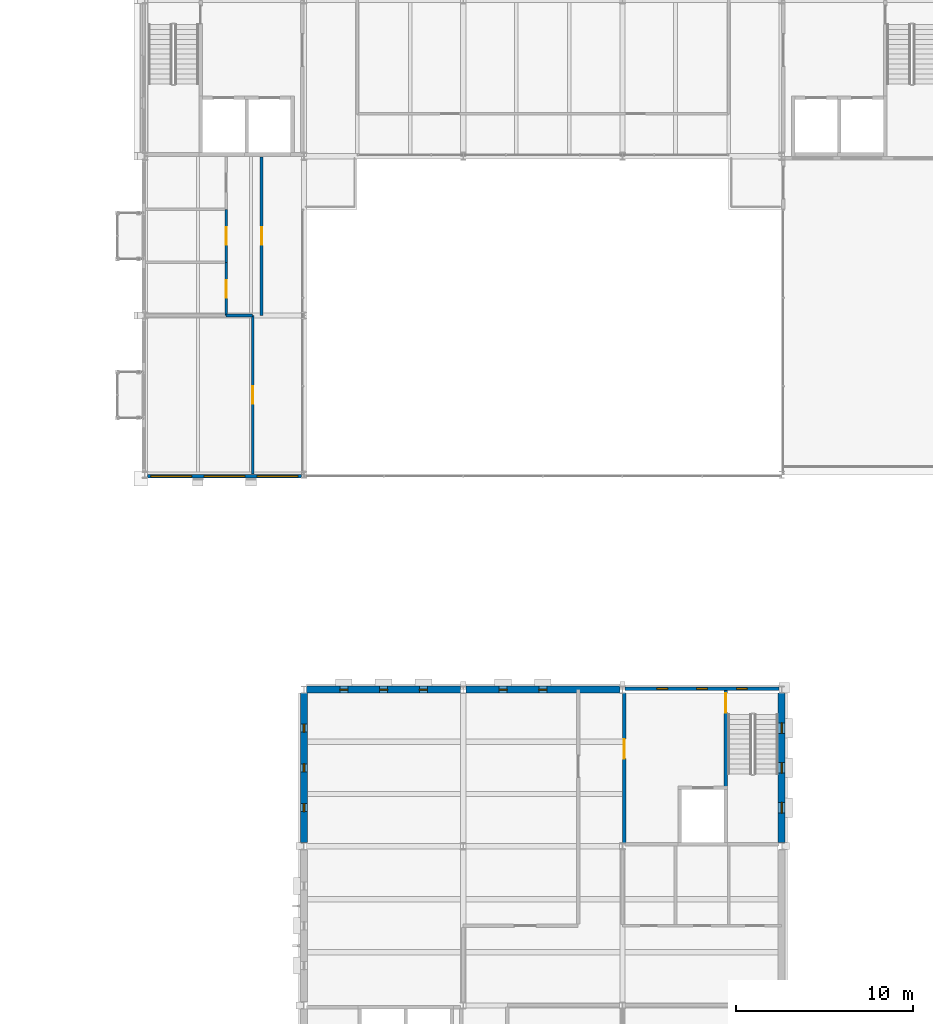
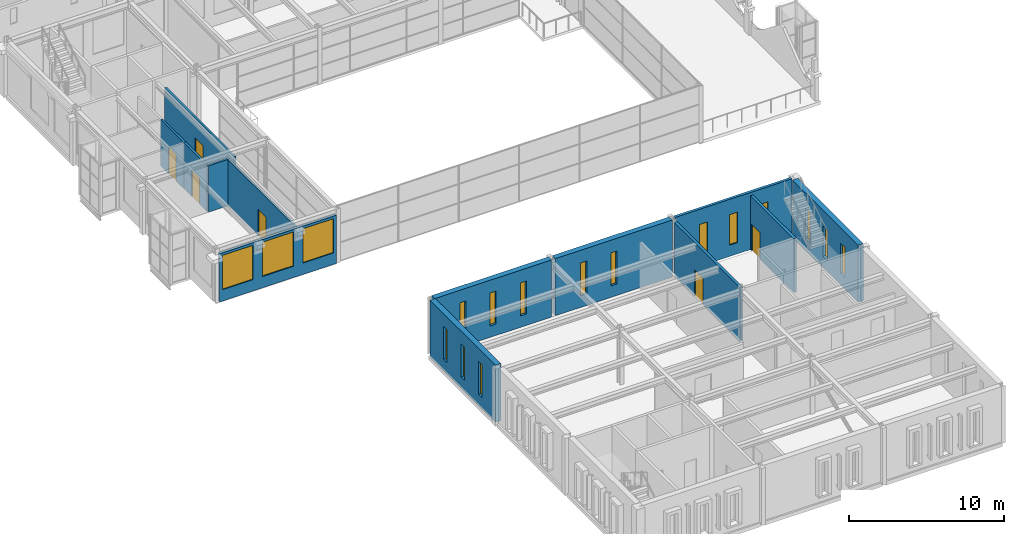
# One storey, part 67 of 111: 17 windows, 13 walls, 6 doors, 23 openings.
"""IFC4 building model written with IfcOpenShell, lengths in metres."""

from ifc_helpers import new_model, si_unit, direction, frame, frame_2d, origin, place, context, subcontext, project, spatial, rectangle, extrude, material, layer, layer_set, type_object, element, fill, save


model = new_model("IFC4")

# Units and contexts
model_context = context("Model", 3, precision=1e-05, world=origin(), true_north=direction((0.0, 1.0)))
body_context = subcontext(model_context, "Body", "Model", "MODEL_VIEW")
ifc_project = project(units=[si_unit("LENGTHUNIT", "METRE"), si_unit("AREAUNIT", "SQUARE_METRE"), si_unit("VOLUMEUNIT", "CUBIC_METRE"), si_unit("PLANEANGLEUNIT", "RADIAN"), si_unit("MASSUNIT", "GRAM", prefix="KILO")], contexts=[model_context])

# Site, building, storey
site_placement = place(None, origin())
site = spatial("IfcSite", under=ifc_project, at=site_placement, CompositionType="ELEMENT")
building_placement = place(site_placement, origin())
building = spatial("IfcBuilding", under=site, at=building_placement, Name="Kallimachos Central Library", CompositionType="ELEMENT")
storey_placement = place(building_placement, frame((0.0, 0.0, 14.39990234375)))
storey = spatial("IfcBuildingStorey", under=building, at=storey_placement, Name="L03", CompositionType="ELEMENT", Elevation=14.39990234375)

# Wall, opening, door
ifc_material_1 = material(Name="Concrete C30/37", Category="concrete")
ifc_layer_1 = layer(ifc_material_1, 0.199951171875)
ifc_layer_set_1 = layer_set([ifc_layer_1], Name="Core wall 200")
wall_type_1 = type_object("IfcWallType", Name="Core wall 200", PredefinedType="SOLIDWALL", material=ifc_layer_set_1)
wall_1_placement = place(storey_placement, frame((92.60009765625, 36.1884765625, 0.0), z_axis=(0.0, 0.0, 1.0), x_axis=(0.0, 1.0, 0.0)))
wall_1 = element("IfcWall", 1, at=wall_1_placement, inside=storey, type_object=wall_type_1, Name="V5-WAL-L03-029", PredefinedType="SOLIDWALL", context=body_context, shape_type="SweptSolid", body=[
    extrude(rectangle(XDim=8.46142578125, YDim=0.199951171875, at=frame_2d((4.230712890625, 0.0))), origin(), (0.0, 0.0, 1.0), 4.25),
])
opening_1_placement = place(wall_1_placement, frame((4.761474609375, 0.0, 0.0)))
opening_1 = element("IfcOpeningElement", 2, at=opening_1_placement, cuts=wall_1, Name="Opening D124", PredefinedType="OPENING", context=body_context, shape_type="SweptSolid", body=[
    extrude(rectangle(XDim=1.10009765625, YDim=2.10009765625, at=frame_2d((0.550048828125, 1.050048828125))), frame((0.0, 0.10986328125, 0.0), z_axis=(0.0, -1.0, 0.0), x_axis=(1.0, 0.0, 0.0)), (0.0, 0.0, 1.0), 0.219970703125),
])
ifc_material_2 = material(Name="Steel fire door", Category="steel")
door_type_1 = type_object("IfcDoorType", Name="Fire door EI2 90 1100 x 2100", OperationType="NOTDEFINED", PredefinedType="DOOR", material=ifc_material_2)
door_1_placement = place(opening_1_placement, frame((1.10009765625, 0.0, 0.0), z_axis=(0.0, 0.0, 1.0), x_axis=(-1.0, 0.0, 0.0)))
door_1 = element("IfcDoor", 3, at=door_1_placement, inside=storey, type_object=door_type_1, Name="ST14 lobby door L03", OperationType="SINGLE_SWING_LEFT", OverallHeight=2.10009765625, OverallWidth=1.10009765625, PredefinedType="DOOR", context=body_context, shape_type="SweptSolid", body=[
    extrude(rectangle(XDim=1.10009765625, YDim=2.10009765625, at=frame_2d((0.550048828125, 1.050048828125))), frame((0.0, 0.02490234375, 0.0), z_axis=(0.0, -1.0, 0.0), x_axis=(1.0, 0.0, 0.0)), (0.0, 0.0, 1.0), 0.050048828125),
])
fill(opening_1, door_1)

wall_2_placement = place(storey_placement, frame((98.35009765625, 39.199951171875, 0.0), z_axis=(0.0, 0.0, 1.0), x_axis=(0.0, 1.0, 0.0)))
wall_2 = element("IfcWall", 4, at=wall_2_placement, inside=storey, type_object=wall_type_1, Name="V5-WAL-L03-030", PredefinedType="SOLIDWALL", context=body_context, shape_type="SweptSolid", body=[
    extrude(rectangle(XDim=5.60009765625, YDim=0.199951171875, at=frame_2d((2.800048828125, 0.0))), origin(), (0.0, 0.0, 1.0), 4.25),
])
opening_2_placement = place(wall_2_placement, frame((4.35009765625, 0.0, 0.0)))
opening_2 = element("IfcOpeningElement", 5, at=opening_2_placement, cuts=wall_2, Name="Opening D123", PredefinedType="OPENING", context=body_context, shape_type="SweptSolid", body=[
    extrude(rectangle(XDim=1.10009765625, YDim=2.10009765625, at=frame_2d((0.550048828125, 1.050048828125))), frame((0.0, 0.10986328125, 0.0), z_axis=(0.0, -1.0, 0.0), x_axis=(1.0, 0.0, 0.0)), (0.0, 0.0, 1.0), 0.219970703125),
])
door_2_placement = place(opening_2_placement, frame((1.10009765625, 0.0, 0.0), z_axis=(0.0, 0.0, 1.0), x_axis=(-1.0, 0.0, 0.0)))
door_2 = element("IfcDoor", 6, at=door_2_placement, inside=storey, type_object=door_type_1, Name="ST14 stair door L03", OperationType="SINGLE_SWING_RIGHT", OverallHeight=2.10009765625, OverallWidth=1.10009765625, PredefinedType="DOOR", context=body_context, shape_type="SweptSolid", body=[
    extrude(rectangle(XDim=1.10009765625, YDim=2.10009765625, at=frame_2d((0.550048828125, 1.050048828125))), frame((0.0, 0.02490234375, 0.0), z_axis=(0.0, -1.0, 0.0), x_axis=(1.0, 0.0, 0.0)), (0.0, 0.0, 1.0), 0.050048828125),
])
fill(opening_2, door_2)

ifc_material_3 = material(Name="Gypsum board on steel studs", Category="steel")
ifc_layer_2 = layer(ifc_material_3, 0.14990234375)
ifc_layer_set_2 = layer_set([ifc_layer_2], Name="Partition wall 150")
wall_type_2 = type_object("IfcWallType", Name="Partition wall 150", PredefinedType="PARTITIONING", material=ifc_layer_set_2)
wall_3_placement = place(storey_placement, frame((71.60009765625, 57.050048828125, 0.0), z_axis=(0.0, 0.0, 1.0), x_axis=(0.0, 1.0, 0.0)))
wall_3 = element("IfcWall", 7, at=wall_3_placement, inside=storey, type_object=wall_type_2, Name="L03 partition", PredefinedType="PARTITIONING", context=body_context, shape_type="SweptSolid", body=[
    extrude(rectangle(XDim=8.949951171875, YDim=0.14990234375, at=frame_2d((4.47509765625, 0.0))), origin(), (0.0, 0.0, 1.0), 3.650146484375),
])
opening_3_placement = place(wall_3_placement, frame((3.949951171875, 0.0, 0.0)))
opening_3 = element("IfcOpeningElement", 8, at=opening_3_placement, cuts=wall_3, Name="Opening D209", PredefinedType="OPENING", context=body_context, shape_type="SweptSolid", body=[
    extrude(rectangle(XDim=1.0, YDim=2.10009765625, at=frame_2d((0.5, 1.050048828125))), frame((0.0, 0.0849609375, 0.0), z_axis=(0.0, -1.0, 0.0), x_axis=(1.0, 0.0, 0.0)), (0.0, 0.0, 1.0), 0.169921875),
])
ifc_material_4 = material(Name="Timber", Category="wood")
door_type_2 = type_object("IfcDoorType", Name="Single leaf door 1000 x 2100, EI2 30", OperationType="NOTDEFINED", PredefinedType="DOOR", material=ifc_material_4)
door_3_placement = place(opening_3_placement, origin())
door_3 = element("IfcDoor", 9, at=door_3_placement, inside=storey, type_object=door_type_2, Name="L03 door Quiet Reading Room 2", OperationType="SINGLE_SWING_RIGHT", OverallHeight=2.10009765625, OverallWidth=1.0, PredefinedType="DOOR", context=body_context, shape_type="SweptSolid", body=[
    extrude(rectangle(XDim=1.0, YDim=2.10009765625, at=frame_2d((0.5, 1.050048828125))), frame((0.0, 0.02490234375, 0.0), z_axis=(0.0, -1.0, 0.0), x_axis=(1.0, 0.0, 0.0)), (0.0, 0.0, 1.0), 0.050048828125),
])
fill(opening_3, door_3)

# Wall
wall_4_placement = place(storey_placement, frame((70.10009765625, 66.0, 0.0), z_axis=(0.0, 0.0, 1.0), x_axis=(1.0, 0.0, 0.0)))
element("IfcWall", 10, at=wall_4_placement, inside=storey, type_object=wall_type_2, Name="L03 partition", PredefinedType="PARTITIONING", context=body_context, shape_type="SweptSolid", body=[
    extrude(rectangle(XDim=1.5, YDim=0.14990234375, at=frame_2d((0.75, 0.0))), origin(), (0.0, 0.0, 1.0), 3.650146484375),
])

# Wall, opening, door
wall_5_placement = place(storey_placement, frame((72.10009765625, 66.0, 0.0), z_axis=(0.0, 0.0, 1.0), x_axis=(0.0, 1.0, 0.0)))
wall_5 = element("IfcWall", 11, at=wall_5_placement, inside=storey, type_object=wall_type_2, Name="L03 partition", PredefinedType="PARTITIONING", context=body_context, shape_type="SweptSolid", body=[
    extrude(rectangle(XDim=8.949951171875, YDim=0.14990234375, at=frame_2d((4.47509765625, 0.0))), origin(), (0.0, 0.0, 1.0), 3.650146484375),
])
opening_4_placement = place(wall_5_placement, frame((4.0, 0.0, 0.0)))
opening_4 = element("IfcOpeningElement", 12, at=opening_4_placement, cuts=wall_5, Name="Opening D210", PredefinedType="OPENING", context=body_context, shape_type="SweptSolid", body=[
    extrude(rectangle(XDim=1.0, YDim=2.10009765625, at=frame_2d((0.5, 1.050048828125))), frame((0.0, 0.0849609375, 0.0), z_axis=(0.0, -1.0, 0.0), x_axis=(1.0, 0.0, 0.0)), (0.0, 0.0, 1.0), 0.169921875),
])
door_4_placement = place(opening_4_placement, origin())
door_4 = element("IfcDoor", 13, at=door_4_placement, inside=storey, type_object=door_type_2, Name="L03 door WC Lobby", OperationType="SINGLE_SWING_RIGHT", OverallHeight=2.10009765625, OverallWidth=1.0, PredefinedType="DOOR", context=body_context, shape_type="SweptSolid", body=[
    extrude(rectangle(XDim=1.0, YDim=2.10009765625, at=frame_2d((0.5, 1.050048828125))), frame((0.0, 0.02490234375, 0.0), z_axis=(0.0, -1.0, 0.0), x_axis=(1.0, 0.0, 0.0)), (0.0, 0.0, 1.0), 0.050048828125),
])
fill(opening_4, door_4)

wall_6_placement = place(storey_placement, frame((70.10009765625, 69.0, 0.0), z_axis=(0.0, 0.0, 1.0), x_axis=(0.0, 1.0, 0.0)))
wall_6 = element("IfcWall", 14, at=wall_6_placement, inside=storey, type_object=wall_type_2, Name="L03 partition", PredefinedType="PARTITIONING", context=body_context, shape_type="SweptSolid", body=[
    extrude(rectangle(XDim=3.0, YDim=0.14990234375, at=frame_2d((1.5, 0.0))), origin(), (0.0, 0.0, 1.0), 3.650146484375),
])
opening_5_placement = place(wall_6_placement, frame((1.0, 0.0, 0.0)))
opening_5 = element("IfcOpeningElement", 15, at=opening_5_placement, cuts=wall_6, Name="Opening D212", PredefinedType="OPENING", context=body_context, shape_type="SweptSolid", body=[
    extrude(rectangle(XDim=1.0, YDim=2.10009765625, at=frame_2d((0.5, 1.050048828125))), frame((0.0, 0.0849609375, 0.0), z_axis=(0.0, -1.0, 0.0), x_axis=(1.0, 0.0, 0.0)), (0.0, 0.0, 1.0), 0.169921875),
])
door_5_placement = place(opening_5_placement, origin())
door_5 = element("IfcDoor", 16, at=door_5_placement, inside=storey, type_object=door_type_2, Name="L03 door Men's WC", OperationType="SINGLE_SWING_RIGHT", OverallHeight=2.10009765625, OverallWidth=1.0, PredefinedType="DOOR", context=body_context, shape_type="SweptSolid", body=[
    extrude(rectangle(XDim=1.0, YDim=2.10009765625, at=frame_2d((0.5, 1.050048828125))), frame((0.0, 0.02490234375, 0.0), z_axis=(0.0, -1.0, 0.0), x_axis=(1.0, 0.0, 0.0)), (0.0, 0.0, 1.0), 0.050048828125),
])
fill(opening_5, door_5)

wall_7_placement = place(storey_placement, frame((70.10009765625, 66.0, 0.0), z_axis=(0.0, 0.0, 1.0), x_axis=(0.0, 1.0, 0.0)))
wall_7 = element("IfcWall", 17, at=wall_7_placement, inside=storey, type_object=wall_type_2, Name="L03 partition", PredefinedType="PARTITIONING", context=body_context, shape_type="SweptSolid", body=[
    extrude(rectangle(XDim=3.0, YDim=0.14990234375, at=frame_2d((1.5, 0.0))), origin(), (0.0, 0.0, 1.0), 3.650146484375),
])
opening_6_placement = place(wall_7_placement, frame((1.0, 0.0, 0.0)))
opening_6 = element("IfcOpeningElement", 18, at=opening_6_placement, cuts=wall_7, Name="Opening D211", PredefinedType="OPENING", context=body_context, shape_type="SweptSolid", body=[
    extrude(rectangle(XDim=1.0, YDim=2.10009765625, at=frame_2d((0.5, 1.050048828125))), frame((0.0, 0.0849609375, 0.0), z_axis=(0.0, -1.0, 0.0), x_axis=(1.0, 0.0, 0.0)), (0.0, 0.0, 1.0), 0.169921875),
])
door_6_placement = place(opening_6_placement, origin())
door_6 = element("IfcDoor", 19, at=door_6_placement, inside=storey, type_object=door_type_2, Name="L03 door Women's WC", OperationType="SINGLE_SWING_RIGHT", OverallHeight=2.10009765625, OverallWidth=1.0, PredefinedType="DOOR", context=body_context, shape_type="SweptSolid", body=[
    extrude(rectangle(XDim=1.0, YDim=2.10009765625, at=frame_2d((0.5, 1.050048828125))), frame((0.0, 0.02490234375, 0.0), z_axis=(0.0, -1.0, 0.0), x_axis=(1.0, 0.0, 0.0)), (0.0, 0.0, 1.0), 0.050048828125),
])
fill(opening_6, door_6)

# Wall, openings, windows
ifc_material_5 = material(Name="Pentelic marble masonry", Category="masonry")
ifc_layer_3 = layer(ifc_material_5, 0.39990234375)
ifc_layer_set_3 = layer_set([ifc_layer_3], Name="Stone masonry wall 400")
wall_type_3 = type_object("IfcWallType", Name="Stone masonry wall 400", PredefinedType="SOLIDWALL", material=ifc_layer_set_3)
wall_8_placement = place(storey_placement, frame((74.64990234375, 44.85009765625, 0.0), z_axis=(0.0, 0.0, 1.0), x_axis=(1.0, 0.0, 0.0)))
wall_8 = element("IfcWall", 20, at=wall_8_placement, inside=storey, type_object=wall_type_3, Name="V5-WAL-L03-013", PredefinedType="SOLIDWALL", context=body_context, shape_type="SweptSolid", body=[
    extrude(rectangle(XDim=8.7001953125, YDim=0.39990234375, at=frame_2d((4.35009765625, 0.0))), origin(), (0.0, 0.0, 1.0), 4.5),
])
opening_7_placement = place(wall_8_placement, frame((1.875, 0.0, 0.89990234375)))
opening_7 = element("IfcOpeningElement", 21, at=opening_7_placement, cuts=wall_8, Name="Opening WN108", PredefinedType="OPENING", context=body_context, shape_type="SweptSolid", body=[
    extrude(rectangle(XDim=0.449951171875, YDim=2.60009765625, at=frame_2d((0.22509765625, 1.300048828125))), frame((0.0, 0.2099609375, 0.0), z_axis=(0.0, -1.0, 0.0), x_axis=(1.0, 0.0, 0.0)), (0.0, 0.0, 1.0), 0.419921875),
])
opening_8_placement = place(wall_8_placement, frame((4.125, 0.0, 0.89990234375)))
opening_8 = element("IfcOpeningElement", 22, at=opening_8_placement, cuts=wall_8, Name="Opening WN109", PredefinedType="OPENING", context=body_context, shape_type="SweptSolid", body=[
    extrude(rectangle(XDim=0.449951171875, YDim=2.60009765625, at=frame_2d((0.22509765625, 1.300048828125))), frame((0.0, 0.2099609375, 0.0), z_axis=(0.0, -1.0, 0.0), x_axis=(1.0, 0.0, 0.0)), (0.0, 0.0, 1.0), 0.419921875),
])
opening_9_placement = place(wall_8_placement, frame((6.375, 0.0, 0.89990234375)))
opening_9 = element("IfcOpeningElement", 23, at=opening_9_placement, cuts=wall_8, Name="Opening WN110", PredefinedType="OPENING", context=body_context, shape_type="SweptSolid", body=[
    extrude(rectangle(XDim=0.449951171875, YDim=2.60009765625, at=frame_2d((0.22509765625, 1.300048828125))), frame((0.0, 0.2099609375, 0.0), z_axis=(0.0, -1.0, 0.0), x_axis=(1.0, 0.0, 0.0)), (0.0, 0.0, 1.0), 0.419921875),
])
ifc_material_6 = material(Name="Anodised aluminium and laminated glass", Category="aluminium")
window_type_1 = type_object("IfcWindowType", Name="Stack slot window 450 x 2600", PartitioningType="SINGLE_PANEL", PredefinedType="WINDOW", material=ifc_material_6)
window_1_placement = place(opening_7_placement, origin())
window_1 = element("IfcWindow", 24, at=window_1_placement, inside=storey, type_object=window_type_1, Name="V5-WIN-L03-009", OverallHeight=2.60009765625, OverallWidth=0.449951171875, PartitioningType="SINGLE_PANEL", PredefinedType="WINDOW", context=body_context, shape_type="SweptSolid", body=[
    extrude(rectangle(XDim=0.449951171875, YDim=2.60009765625, at=frame_2d((0.22509765625, 1.300048828125))), frame((0.0, 0.030029296875, 0.0), z_axis=(0.0, -1.0, 0.0), x_axis=(1.0, 0.0, 0.0)), (0.0, 0.0, 1.0), 0.06005859375),
])
fill(opening_7, window_1)
window_2_placement = place(opening_8_placement, origin())
window_2 = element("IfcWindow", 25, at=window_2_placement, inside=storey, type_object=window_type_1, Name="V5-WIN-L03-010", OverallHeight=2.60009765625, OverallWidth=0.449951171875, PartitioningType="SINGLE_PANEL", PredefinedType="WINDOW", context=body_context, shape_type="SweptSolid", body=[
    extrude(rectangle(XDim=0.449951171875, YDim=2.60009765625, at=frame_2d((0.22509765625, 1.300048828125))), frame((0.0, 0.030029296875, 0.0), z_axis=(0.0, -1.0, 0.0), x_axis=(1.0, 0.0, 0.0)), (0.0, 0.0, 1.0), 0.06005859375),
])
fill(opening_8, window_2)
window_3_placement = place(opening_9_placement, origin())
window_3 = element("IfcWindow", 26, at=window_3_placement, inside=storey, type_object=window_type_1, Name="V5-WIN-L03-011", OverallHeight=2.60009765625, OverallWidth=0.449951171875, PartitioningType="SINGLE_PANEL", PredefinedType="WINDOW", context=body_context, shape_type="SweptSolid", body=[
    extrude(rectangle(XDim=0.449951171875, YDim=2.60009765625, at=frame_2d((0.22509765625, 1.300048828125))), frame((0.0, 0.030029296875, 0.0), z_axis=(0.0, -1.0, 0.0), x_axis=(1.0, 0.0, 0.0)), (0.0, 0.0, 1.0), 0.06005859375),
])
fill(opening_9, window_3)

wall_9_placement = place(storey_placement, frame((83.64990234375, 44.85009765625, 0.0), z_axis=(0.0, 0.0, 1.0), x_axis=(1.0, 0.0, 0.0)))
wall_9 = element("IfcWall", 27, at=wall_9_placement, inside=storey, type_object=wall_type_3, Name="V5-WAL-L03-014", PredefinedType="SOLIDWALL", context=body_context, shape_type="SweptSolid", body=[
    extrude(rectangle(XDim=8.7001953125, YDim=0.39990234375, at=frame_2d((4.35009765625, 0.0))), origin(), (0.0, 0.0, 1.0), 4.5),
])
opening_10_placement = place(wall_9_placement, frame((1.875, 0.0, 0.89990234375)))
opening_10 = element("IfcOpeningElement", 28, at=opening_10_placement, cuts=wall_9, Name="Opening WN111", PredefinedType="OPENING", context=body_context, shape_type="SweptSolid", body=[
    extrude(rectangle(XDim=0.449951171875, YDim=2.60009765625, at=frame_2d((0.22509765625, 1.300048828125))), frame((0.0, 0.2099609375, 0.0), z_axis=(0.0, -1.0, 0.0), x_axis=(1.0, 0.0, 0.0)), (0.0, 0.0, 1.0), 0.419921875),
])
opening_11_placement = place(wall_9_placement, frame((4.125, 0.0, 0.89990234375)))
opening_11 = element("IfcOpeningElement", 29, at=opening_11_placement, cuts=wall_9, Name="Opening WN112", PredefinedType="OPENING", context=body_context, shape_type="SweptSolid", body=[
    extrude(rectangle(XDim=0.449951171875, YDim=2.60009765625, at=frame_2d((0.22509765625, 1.300048828125))), frame((0.0, 0.2099609375, 0.0), z_axis=(0.0, -1.0, 0.0), x_axis=(1.0, 0.0, 0.0)), (0.0, 0.0, 1.0), 0.419921875),
])
window_4_placement = place(opening_10_placement, origin())
window_4 = element("IfcWindow", 30, at=window_4_placement, inside=storey, type_object=window_type_1, Name="V5-WIN-L03-012", OverallHeight=2.60009765625, OverallWidth=0.449951171875, PartitioningType="SINGLE_PANEL", PredefinedType="WINDOW", context=body_context, shape_type="SweptSolid", body=[
    extrude(rectangle(XDim=0.449951171875, YDim=2.60009765625, at=frame_2d((0.22509765625, 1.300048828125))), frame((0.0, 0.030029296875, 0.0), z_axis=(0.0, -1.0, 0.0), x_axis=(1.0, 0.0, 0.0)), (0.0, 0.0, 1.0), 0.06005859375),
])
fill(opening_10, window_4)
window_5_placement = place(opening_11_placement, origin())
window_5 = element("IfcWindow", 31, at=window_5_placement, inside=storey, type_object=window_type_1, Name="V5-WIN-L03-013", OverallHeight=2.60009765625, OverallWidth=0.449951171875, PartitioningType="SINGLE_PANEL", PredefinedType="WINDOW", context=body_context, shape_type="SweptSolid", body=[
    extrude(rectangle(XDim=0.449951171875, YDim=2.60009765625, at=frame_2d((0.22509765625, 1.300048828125))), frame((0.0, 0.030029296875, 0.0), z_axis=(0.0, -1.0, 0.0), x_axis=(1.0, 0.0, 0.0)), (0.0, 0.0, 1.0), 0.06005859375),
])
fill(opening_11, window_5)

wall_10_placement = place(storey_placement, frame((74.5, 36.199951171875, 0.0), z_axis=(0.0, 0.0, 1.0), x_axis=(0.0, 1.0, 0.0)))
wall_10 = element("IfcWall", 32, at=wall_10_placement, inside=storey, type_object=wall_type_3, Name="V5-WAL-L03-018", PredefinedType="SOLIDWALL", context=body_context, shape_type="SweptSolid", body=[
    extrude(rectangle(XDim=8.449951171875, YDim=0.39990234375, at=frame_2d((4.22509765625, 0.0))), origin(), (0.0, 0.0, 1.0), 4.5),
])
opening_12_placement = place(wall_10_placement, frame((1.75, 0.0, 0.89990234375)))
opening_12 = element("IfcOpeningElement", 33, at=opening_12_placement, cuts=wall_10, Name="Opening WN122", PredefinedType="OPENING", context=body_context, shape_type="SweptSolid", body=[
    extrude(rectangle(XDim=0.449951171875, YDim=2.60009765625, at=frame_2d((0.22509765625, 1.300048828125))), frame((0.0, 0.2099609375, 0.0), z_axis=(0.0, -1.0, 0.0), x_axis=(1.0, 0.0, 0.0)), (0.0, 0.0, 1.0), 0.419921875),
])
opening_13_placement = place(wall_10_placement, frame((4.0, 0.0, 0.89990234375)))
opening_13 = element("IfcOpeningElement", 34, at=opening_13_placement, cuts=wall_10, Name="Opening WN123", PredefinedType="OPENING", context=body_context, shape_type="SweptSolid", body=[
    extrude(rectangle(XDim=0.449951171875, YDim=2.60009765625, at=frame_2d((0.22509765625, 1.300048828125))), frame((0.0, 0.2099609375, 0.0), z_axis=(0.0, -1.0, 0.0), x_axis=(1.0, 0.0, 0.0)), (0.0, 0.0, 1.0), 0.419921875),
])
opening_14_placement = place(wall_10_placement, frame((6.25, 0.0, 0.89990234375)))
opening_14 = element("IfcOpeningElement", 35, at=opening_14_placement, cuts=wall_10, Name="Opening WN124", PredefinedType="OPENING", context=body_context, shape_type="SweptSolid", body=[
    extrude(rectangle(XDim=0.449951171875, YDim=2.60009765625, at=frame_2d((0.22509765625, 1.300048828125))), frame((0.0, 0.2099609375, 0.0), z_axis=(0.0, -1.0, 0.0), x_axis=(1.0, 0.0, 0.0)), (0.0, 0.0, 1.0), 0.419921875),
])
window_6_placement = place(opening_12_placement, origin())
window_6 = element("IfcWindow", 36, at=window_6_placement, inside=storey, type_object=window_type_1, Name="V5-WIN-L03-023", OverallHeight=2.60009765625, OverallWidth=0.449951171875, PartitioningType="SINGLE_PANEL", PredefinedType="WINDOW", context=body_context, shape_type="SweptSolid", body=[
    extrude(rectangle(XDim=0.449951171875, YDim=2.60009765625, at=frame_2d((0.22509765625, 1.300048828125))), frame((0.0, 0.030029296875, 0.0), z_axis=(0.0, -1.0, 0.0), x_axis=(1.0, 0.0, 0.0)), (0.0, 0.0, 1.0), 0.06005859375),
])
fill(opening_12, window_6)
window_7_placement = place(opening_13_placement, origin())
window_7 = element("IfcWindow", 37, at=window_7_placement, inside=storey, type_object=window_type_1, Name="V5-WIN-L03-024", OverallHeight=2.60009765625, OverallWidth=0.449951171875, PartitioningType="SINGLE_PANEL", PredefinedType="WINDOW", context=body_context, shape_type="SweptSolid", body=[
    extrude(rectangle(XDim=0.449951171875, YDim=2.60009765625, at=frame_2d((0.22509765625, 1.300048828125))), frame((0.0, 0.030029296875, 0.0), z_axis=(0.0, -1.0, 0.0), x_axis=(1.0, 0.0, 0.0)), (0.0, 0.0, 1.0), 0.06005859375),
])
fill(opening_13, window_7)
window_8_placement = place(opening_14_placement, origin())
window_8 = element("IfcWindow", 38, at=window_8_placement, inside=storey, type_object=window_type_1, Name="V5-WIN-L03-025", OverallHeight=2.60009765625, OverallWidth=0.449951171875, PartitioningType="SINGLE_PANEL", PredefinedType="WINDOW", context=body_context, shape_type="SweptSolid", body=[
    extrude(rectangle(XDim=0.449951171875, YDim=2.60009765625, at=frame_2d((0.22509765625, 1.300048828125))), frame((0.0, 0.030029296875, 0.0), z_axis=(0.0, -1.0, 0.0), x_axis=(1.0, 0.0, 0.0)), (0.0, 0.0, 1.0), 0.06005859375),
])
fill(opening_14, window_8)

ifc_material_7 = material(Name="Concrete C30/37", Category="concrete")
ifc_layer_4 = layer(ifc_material_7, 0.199951171875)
ifc_layer_set_4 = layer_set([ifc_layer_4], Name="Stone-clad core wall 200")
wall_type_4 = type_object("IfcWallType", Name="Stone-clad core wall 200", PredefinedType="SOLIDWALL", material=ifc_layer_set_4)
wall_11_placement = place(storey_placement, frame((92.64990234375, 44.89990234375, 0.0), z_axis=(0.0, 0.0, 1.0), x_axis=(1.0, 0.0, 0.0)))
wall_11 = element("IfcWall", 39, at=wall_11_placement, inside=storey, type_object=wall_type_4, Name="V5-WAL-L03-015", PredefinedType="SOLIDWALL", context=body_context, shape_type="SweptSolid", body=[
    extrude(rectangle(XDim=8.7001953125, YDim=0.199951171875, at=frame_2d((4.35009765625, 0.0))), origin(), (0.0, 0.0, 1.0), 4.5),
])
opening_15_placement = place(wall_11_placement, frame((1.800048828125, 0.0, 0.89990234375)))
opening_15 = element("IfcOpeningElement", 40, at=opening_15_placement, cuts=wall_11, Name="Opening WN113", PredefinedType="OPENING", context=body_context, shape_type="SweptSolid", body=[
    extrude(rectangle(XDim=0.60009765625, YDim=2.39990234375, at=frame_2d((0.300048828125, 1.199951171875))), frame((0.0, 0.10986328125, 0.0), z_axis=(0.0, -1.0, 0.0), x_axis=(1.0, 0.0, 0.0)), (0.0, 0.0, 1.0), 0.219970703125),
])
opening_16_placement = place(wall_11_placement, frame((4.050048828125, 0.0, 0.89990234375)))
opening_16 = element("IfcOpeningElement", 41, at=opening_16_placement, cuts=wall_11, Name="Opening WN114", PredefinedType="OPENING", context=body_context, shape_type="SweptSolid", body=[
    extrude(rectangle(XDim=0.60009765625, YDim=2.39990234375, at=frame_2d((0.300048828125, 1.199951171875))), frame((0.0, 0.10986328125, 0.0), z_axis=(0.0, -1.0, 0.0), x_axis=(1.0, 0.0, 0.0)), (0.0, 0.0, 1.0), 0.219970703125),
])
opening_17_placement = place(wall_11_placement, frame((6.300048828125, 0.0, 0.89990234375)))
opening_17 = element("IfcOpeningElement", 42, at=opening_17_placement, cuts=wall_11, Name="Opening WN115", PredefinedType="OPENING", context=body_context, shape_type="SweptSolid", body=[
    extrude(rectangle(XDim=0.60009765625, YDim=2.39990234375, at=frame_2d((0.300048828125, 1.199951171875))), frame((0.0, 0.10986328125, 0.0), z_axis=(0.0, -1.0, 0.0), x_axis=(1.0, 0.0, 0.0)), (0.0, 0.0, 1.0), 0.219970703125),
])
ifc_material_8 = material(Name="Anodised aluminium and laminated glass", Category="aluminium")
window_type_2 = type_object("IfcWindowType", Name="Slot window 600 x 2400", PartitioningType="SINGLE_PANEL", PredefinedType="WINDOW", material=ifc_material_8)
window_9_placement = place(opening_15_placement, origin())
window_9 = element("IfcWindow", 43, at=window_9_placement, inside=storey, type_object=window_type_2, Name="V5-WIN-L03-014", OverallHeight=2.39990234375, OverallWidth=0.60009765625, PartitioningType="SINGLE_PANEL", PredefinedType="WINDOW", context=body_context, shape_type="SweptSolid", body=[
    extrude(rectangle(XDim=0.60009765625, YDim=2.39990234375, at=frame_2d((0.300048828125, 1.199951171875))), frame((0.0, 0.030029296875, 0.0), z_axis=(0.0, -1.0, 0.0), x_axis=(1.0, 0.0, 0.0)), (0.0, 0.0, 1.0), 0.06005859375),
])
fill(opening_15, window_9)
window_10_placement = place(opening_16_placement, origin())
window_10 = element("IfcWindow", 44, at=window_10_placement, inside=storey, type_object=window_type_2, Name="V5-WIN-L03-015", OverallHeight=2.39990234375, OverallWidth=0.60009765625, PartitioningType="SINGLE_PANEL", PredefinedType="WINDOW", context=body_context, shape_type="SweptSolid", body=[
    extrude(rectangle(XDim=0.60009765625, YDim=2.39990234375, at=frame_2d((0.300048828125, 1.199951171875))), frame((0.0, 0.030029296875, 0.0), z_axis=(0.0, -1.0, 0.0), x_axis=(1.0, 0.0, 0.0)), (0.0, 0.0, 1.0), 0.06005859375),
])
fill(opening_16, window_10)
window_11_placement = place(opening_17_placement, origin())
window_11 = element("IfcWindow", 45, at=window_11_placement, inside=storey, type_object=window_type_2, Name="V5-WIN-L03-016", OverallHeight=2.39990234375, OverallWidth=0.60009765625, PartitioningType="SINGLE_PANEL", PredefinedType="WINDOW", context=body_context, shape_type="SweptSolid", body=[
    extrude(rectangle(XDim=0.60009765625, YDim=2.39990234375, at=frame_2d((0.300048828125, 1.199951171875))), frame((0.0, 0.030029296875, 0.0), z_axis=(0.0, -1.0, 0.0), x_axis=(1.0, 0.0, 0.0)), (0.0, 0.0, 1.0), 0.06005859375),
])
fill(opening_17, window_11)

ifc_material_9 = material(Name="Concrete C30/37", Category="concrete")
ifc_layer_5 = layer(ifc_material_9, 0.39990234375)
ifc_layer_set_5 = layer_set([ifc_layer_5], Name="Stone-clad core wall 400")
wall_type_5 = type_object("IfcWallType", Name="Stone-clad core wall 400", PredefinedType="SOLIDWALL", material=ifc_layer_set_5)
wall_12_placement = place(storey_placement, frame((101.5, 36.199951171875, 0.0), z_axis=(0.0, 0.0, 1.0), x_axis=(0.0, 1.0, 0.0)))
wall_12 = element("IfcWall", 46, at=wall_12_placement, inside=storey, type_object=wall_type_5, Name="V5-WAL-L03-021", PredefinedType="SOLIDWALL", context=body_context, shape_type="SweptSolid", body=[
    extrude(rectangle(XDim=8.449951171875, YDim=0.39990234375, at=frame_2d((4.22509765625, 0.0))), origin(), (0.0, 0.0, 1.0), 4.5),
])
opening_18_placement = place(wall_12_placement, frame((1.675048828125, 0.0, 0.89990234375)))
opening_18 = element("IfcOpeningElement", 47, at=opening_18_placement, cuts=wall_12, Name="Opening WN128", PredefinedType="OPENING", context=body_context, shape_type="SweptSolid", body=[
    extrude(rectangle(XDim=0.60009765625, YDim=2.39990234375, at=frame_2d((0.300048828125, 1.199951171875))), frame((0.0, 0.2099609375, 0.0), z_axis=(0.0, -1.0, 0.0), x_axis=(1.0, 0.0, 0.0)), (0.0, 0.0, 1.0), 0.419921875),
])
opening_19_placement = place(wall_12_placement, frame((3.925048828125, 0.0, 0.89990234375)))
opening_19 = element("IfcOpeningElement", 48, at=opening_19_placement, cuts=wall_12, Name="Opening WN129", PredefinedType="OPENING", context=body_context, shape_type="SweptSolid", body=[
    extrude(rectangle(XDim=0.60009765625, YDim=2.39990234375, at=frame_2d((0.300048828125, 1.199951171875))), frame((0.0, 0.2099609375, 0.0), z_axis=(0.0, -1.0, 0.0), x_axis=(1.0, 0.0, 0.0)), (0.0, 0.0, 1.0), 0.419921875),
])
opening_20_placement = place(wall_12_placement, frame((6.175048828125, 0.0, 0.89990234375)))
opening_20 = element("IfcOpeningElement", 49, at=opening_20_placement, cuts=wall_12, Name="Opening WN130", PredefinedType="OPENING", context=body_context, shape_type="SweptSolid", body=[
    extrude(rectangle(XDim=0.60009765625, YDim=2.39990234375, at=frame_2d((0.300048828125, 1.199951171875))), frame((0.0, 0.2099609375, 0.0), z_axis=(0.0, -1.0, 0.0), x_axis=(1.0, 0.0, 0.0)), (0.0, 0.0, 1.0), 0.419921875),
])
window_12_placement = place(opening_18_placement, origin())
window_12 = element("IfcWindow", 50, at=window_12_placement, inside=storey, type_object=window_type_2, Name="V5-WIN-L03-029", OverallHeight=2.39990234375, OverallWidth=0.60009765625, PartitioningType="SINGLE_PANEL", PredefinedType="WINDOW", context=body_context, shape_type="SweptSolid", body=[
    extrude(rectangle(XDim=0.60009765625, YDim=2.39990234375, at=frame_2d((0.300048828125, 1.199951171875))), frame((0.0, 0.030029296875, 0.0), z_axis=(0.0, -1.0, 0.0), x_axis=(1.0, 0.0, 0.0)), (0.0, 0.0, 1.0), 0.06005859375),
])
fill(opening_18, window_12)
window_13_placement = place(opening_19_placement, origin())
window_13 = element("IfcWindow", 51, at=window_13_placement, inside=storey, type_object=window_type_2, Name="V5-WIN-L03-030", OverallHeight=2.39990234375, OverallWidth=0.60009765625, PartitioningType="SINGLE_PANEL", PredefinedType="WINDOW", context=body_context, shape_type="SweptSolid", body=[
    extrude(rectangle(XDim=0.60009765625, YDim=2.39990234375, at=frame_2d((0.300048828125, 1.199951171875))), frame((0.0, 0.030029296875, 0.0), z_axis=(0.0, -1.0, 0.0), x_axis=(1.0, 0.0, 0.0)), (0.0, 0.0, 1.0), 0.06005859375),
])
fill(opening_19, window_13)
window_14_placement = place(opening_20_placement, origin())
window_14 = element("IfcWindow", 52, at=window_14_placement, inside=storey, type_object=window_type_2, Name="V5-WIN-L03-031", OverallHeight=2.39990234375, OverallWidth=0.60009765625, PartitioningType="SINGLE_PANEL", PredefinedType="WINDOW", context=body_context, shape_type="SweptSolid", body=[
    extrude(rectangle(XDim=0.60009765625, YDim=2.39990234375, at=frame_2d((0.300048828125, 1.199951171875))), frame((0.0, 0.030029296875, 0.0), z_axis=(0.0, -1.0, 0.0), x_axis=(1.0, 0.0, 0.0)), (0.0, 0.0, 1.0), 0.06005859375),
])
fill(opening_20, window_14)

ifc_material_10 = material(Name="Brick masonry with Pentelic marble cladding", Category="masonry")
ifc_layer_6 = layer(ifc_material_10, 0.199951171875)
ifc_layer_set_6 = layer_set([ifc_layer_6], Name="Stone-clad masonry wall 200")
wall_type_6 = type_object("IfcWallType", Name="Stone-clad masonry wall 200", PredefinedType="SOLIDWALL", material=ifc_layer_set_6)
wall_13_placement = place(storey_placement, frame((65.654541015625, 56.91162109375, 0.0), z_axis=(0.0, 0.0, 1.0), x_axis=(1.0, 0.0, 0.0)))
wall_13 = element("IfcWall", 53, at=wall_13_placement, inside=storey, type_object=wall_type_6, Name="V4-WAL-L03-024", PredefinedType="SOLIDWALL", context=body_context, shape_type="SweptSolid", body=[
    extrude(rectangle(XDim=8.69091796875, YDim=0.199951171875, at=frame_2d((4.345458984375, 0.0))), origin(), (0.0, 0.0, 1.0), 3.800048828125),
])
opening_21_placement = place(wall_13_placement, frame((0.195556640625, 0.0, 0.89990234375)))
opening_21 = element("IfcOpeningElement", 54, at=opening_21_placement, cuts=wall_13, Name="Opening WN161", PredefinedType="OPENING", context=body_context, shape_type="SweptSolid", body=[
    extrude(rectangle(XDim=2.300048828125, YDim=2.699951171875, at=frame_2d((1.14990234375, 1.35009765625))), frame((0.0, 0.10986328125, 0.0), z_axis=(0.0, -1.0, 0.0), x_axis=(1.0, 0.0, 0.0)), (0.0, 0.0, 1.0), 0.219970703125),
])
opening_22_placement = place(wall_13_placement, frame((3.195556640625, 0.0, 0.89990234375)))
opening_22 = element("IfcOpeningElement", 55, at=opening_22_placement, cuts=wall_13, Name="Opening WN161", PredefinedType="OPENING", context=body_context, shape_type="SweptSolid", body=[
    extrude(rectangle(XDim=2.300048828125, YDim=2.699951171875, at=frame_2d((1.14990234375, 1.35009765625))), frame((0.0, 0.10986328125, 0.0), z_axis=(0.0, -1.0, 0.0), x_axis=(1.0, 0.0, 0.0)), (0.0, 0.0, 1.0), 0.219970703125),
])
opening_23_placement = place(wall_13_placement, frame((6.195556640625, 0.0, 0.89990234375)))
opening_23 = element("IfcOpeningElement", 56, at=opening_23_placement, cuts=wall_13, Name="Opening WN161", PredefinedType="OPENING", context=body_context, shape_type="SweptSolid", body=[
    extrude(rectangle(XDim=2.300048828125, YDim=2.699951171875, at=frame_2d((1.14990234375, 1.35009765625))), frame((0.0, 0.10986328125, 0.0), z_axis=(0.0, -1.0, 0.0), x_axis=(1.0, 0.0, 0.0)), (0.0, 0.0, 1.0), 0.219970703125),
])
ifc_material_11 = material(Name="Anodised aluminium and laminated glass", Category="aluminium")
window_type_3 = type_object("IfcWindowType", Name="Window 2300 x 2700", PartitioningType="DOUBLE_PANEL_VERTICAL", PredefinedType="WINDOW", material=ifc_material_11)
window_15_placement = place(opening_21_placement, origin())
window_15 = element("IfcWindow", 57, at=window_15_placement, inside=storey, type_object=window_type_3, Name="V4-WIN-L03-025", OverallHeight=2.699951171875, OverallWidth=2.300048828125, PartitioningType="SINGLE_PANEL", PredefinedType="WINDOW", context=body_context, shape_type="SweptSolid", body=[
    extrude(rectangle(XDim=2.300048828125, YDim=2.699951171875, at=frame_2d((1.14990234375, 1.35009765625))), frame((0.0, 0.030029296875, 0.0), z_axis=(0.0, -1.0, 0.0), x_axis=(1.0, 0.0, 0.0)), (0.0, 0.0, 1.0), 0.06005859375),
])
fill(opening_21, window_15)
window_16_placement = place(opening_22_placement, origin())
window_16 = element("IfcWindow", 58, at=window_16_placement, inside=storey, type_object=window_type_3, Name="V4-WIN-L03-026", OverallHeight=2.699951171875, OverallWidth=2.300048828125, PartitioningType="SINGLE_PANEL", PredefinedType="WINDOW", context=body_context, shape_type="SweptSolid", body=[
    extrude(rectangle(XDim=2.300048828125, YDim=2.699951171875, at=frame_2d((1.14990234375, 1.35009765625))), frame((0.0, 0.030029296875, 0.0), z_axis=(0.0, -1.0, 0.0), x_axis=(1.0, 0.0, 0.0)), (0.0, 0.0, 1.0), 0.06005859375),
])
fill(opening_22, window_16)
window_17_placement = place(opening_23_placement, origin())
window_17 = element("IfcWindow", 59, at=window_17_placement, inside=storey, type_object=window_type_3, Name="V4-WIN-L03-027", OverallHeight=2.699951171875, OverallWidth=2.300048828125, PartitioningType="SINGLE_PANEL", PredefinedType="WINDOW", context=body_context, shape_type="SweptSolid", body=[
    extrude(rectangle(XDim=2.300048828125, YDim=2.699951171875, at=frame_2d((1.14990234375, 1.35009765625))), frame((0.0, 0.030029296875, 0.0), z_axis=(0.0, -1.0, 0.0), x_axis=(1.0, 0.0, 0.0)), (0.0, 0.0, 1.0), 0.06005859375),
])
fill(opening_23, window_17)

save(model, "model.ifc")
